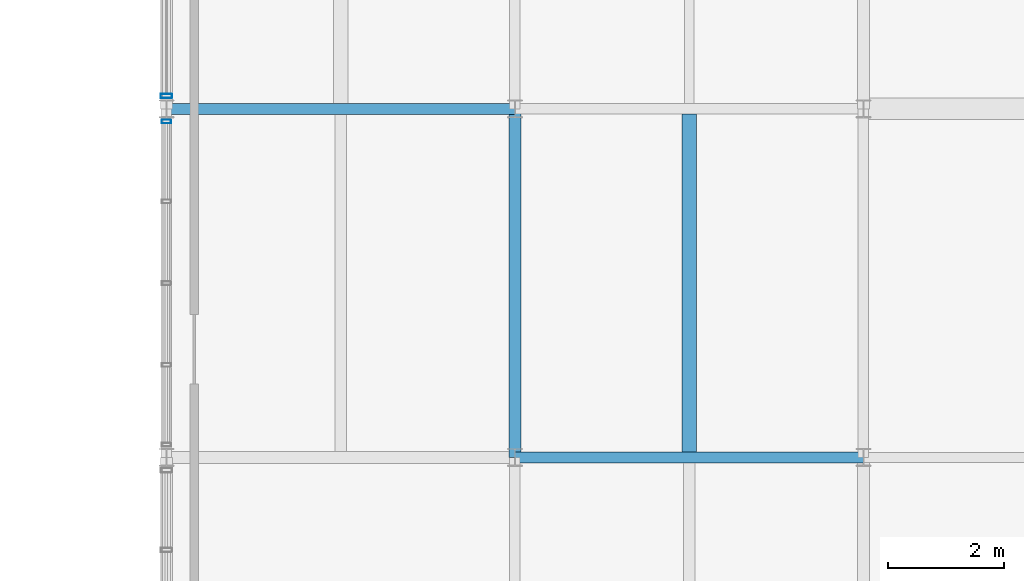
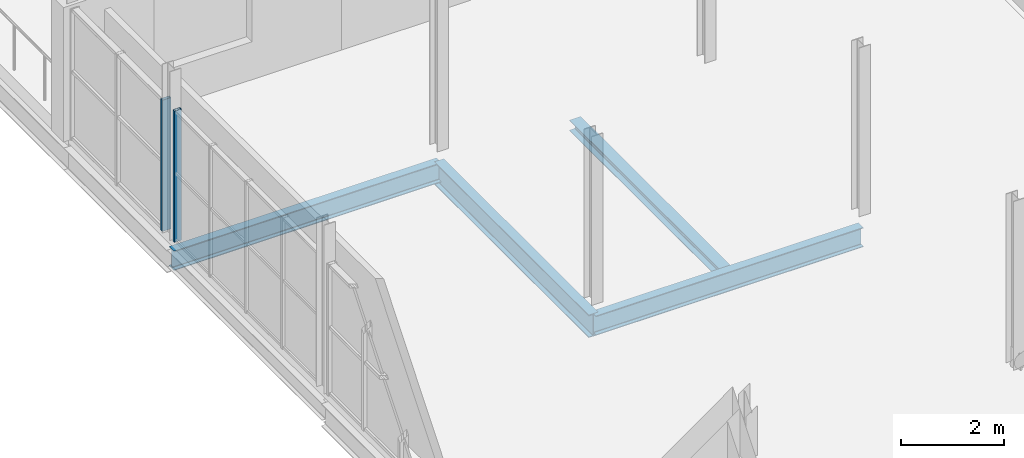
# One storey, part 68 of 96: 4 beams, 2 members, 2 elements without a shape of their own.
"""IFC4 building model written with IfcOpenShell, lengths in metres."""

from ifc_helpers import new_model, si_unit, direction, frame, origin, origin_2d, place, context, subcontext, project, spatial, hollow_rectangle, i_section, extrude, material, material_profile, profile_set, type_object, element, aggregate, save


model = new_model("IFC4")

# Units and contexts
model_context = context("Model", 3, precision=1e-05, world=origin(), true_north=direction((0.0, 1.0)))
body_context = subcontext(model_context, "Body", "Model", "MODEL_VIEW")
ifc_project = project(units=[si_unit("LENGTHUNIT", "METRE"), si_unit("AREAUNIT", "SQUARE_METRE"), si_unit("VOLUMEUNIT", "CUBIC_METRE"), si_unit("PLANEANGLEUNIT", "RADIAN"), si_unit("MASSUNIT", "GRAM", prefix="KILO")], contexts=[model_context])

# Site, building, storey
site_placement = place(None, origin())
site = spatial("IfcSite", under=ifc_project, at=site_placement, CompositionType="ELEMENT")
building_placement = place(site_placement, origin())
building = spatial("IfcBuilding", under=site, at=building_placement, Name="Verrall Gate Interchange", CompositionType="ELEMENT")
storey_placement = place(building_placement, frame((0.0, 0.0, 11.39990234375)))
storey = spatial("IfcBuildingStorey", under=building, at=storey_placement, Name="L03", CompositionType="ELEMENT", Elevation=11.39990234375)

# Beams
ifc_material_1 = material(Name="Structural Steel CSA G40.21 350W", Category="steel")
ifc_material_profile_1 = material_profile(ifc_material_1, i_section(OverallWidth=0.2109375, OverallDepth=0.5390625, WebThickness=0.01171875, FlangeThickness=0.018798828125, FilletRadius=0.013916015625, at=origin_2d()), Name="W530x109")
ifc_profile_set_1 = profile_set([ifc_material_profile_1], Name="Structural Steel CSA G40.21 350W")
beam_type_1 = type_object("IfcBeamType", Name="B-10 Structural Beam W530x109", PredefinedType="BEAM", material=ifc_profile_set_1)
beam_1_placement = place(storey_placement, frame((138.0, 34.0, -0.599365234375), z_axis=(0.0, 1.0, 0.0), x_axis=(-1.0, 0.0, 0.0)))
element("IfcBeam", 1, at=beam_1_placement, inside=storey, type_object=beam_type_1, Name="L03 Girder BM-L03-2335 (B-10)", PredefinedType="BEAM", context=body_context, shape_type="SweptSolid", body=[
    extrude(i_section(OverallWidth=0.2109375, OverallDepth=0.5390625, WebThickness=0.01171875, FlangeThickness=0.018798828125, FilletRadius=0.013916015625, at=origin_2d()), origin(), (0.0, 0.0, 1.0), 6.0),
])
ifc_material_2 = material(Name="Structural Steel CSA G40.21 350W", Category="steel")
ifc_material_profile_2 = material_profile(ifc_material_2, i_section(OverallWidth=0.19189453125, OverallDepth=0.462890625, WebThickness=0.010498046875, FlangeThickness=0.017578125, FilletRadius=0.012939453125, at=origin_2d()), Name="W460x89")
ifc_profile_set_2 = profile_set([ifc_material_profile_2], Name="Structural Steel CSA G40.21 350W")
beam_type_2 = type_object("IfcBeamType", Name="B-11 Structural Beam W460x89", PredefinedType="BEAM", material=ifc_profile_set_2)
for number, where, z_axis, x_axis, name in (
    (2, (138.0, 34.0, -0.5615234375), (1.0, 0.0, 0.0), (0.0, 1.0, 0.0), "L03 Girder BM-L03-2071 (B-11)"),
    (3, (132.0, 40.0, -0.5615234375), (1.0, 0.0, 0.0), (0.0, 1.0, 0.0), "L03 Girder BM-L03-2080 (B-11)"),
):
    element("IfcBeam", number, at=place(storey_placement, frame(where, z_axis=z_axis, x_axis=x_axis)), inside=storey, type_object=beam_type_2, Name=name, PredefinedType="BEAM", context=body_context, shape_type="SweptSolid", body=[
        extrude(i_section(OverallWidth=0.19189453125, OverallDepth=0.462890625, WebThickness=0.010498046875, FlangeThickness=0.017578125, FilletRadius=0.012939453125, at=origin_2d()), origin(), (0.0, 0.0, 1.0), 6.0),
    ])

# Curtain wall, member
ifc_material_3 = material(Name="Thermally Broken Anodized Aluminium Curtain Wall Framing", Category="aluminium")
curtain_wall_type_1 = type_object("IfcCurtainWallType", Name="CW-36 Unitized Curtain Wall 5559x3110", PredefinedType="NOTDEFINED", material=ifc_material_3)
curtain_wall_1_placement = place(storey_placement, origin())
curtain_wall_1 = element("IfcCurtainWall", 4, at=curtain_wall_1_placement, inside=storey, type_object=curtain_wall_type_1, Name="L03 Unitized Curtain Wall CW-L03-122", PredefinedType="NOTDEFINED")
ifc_material_4 = material(Name="Thermally Broken Anodized Aluminium Curtain Wall Framing", Category="aluminium")
ifc_material_profile_3 = material_profile(ifc_material_4, hollow_rectangle(XDim=0.06494140625, YDim=0.159912109375, WallThickness=0.00390625, InnerFilletRadius=0.00390625, OuterFilletRadius=0.008056640625, at=origin_2d()), Name="CWM160x65x4")
ifc_profile_set_3 = profile_set([ifc_material_profile_3], Name="Thermally Broken Anodized Aluminium Curtain Wall Framing")
member_type_1 = type_object("IfcMemberType", Name="CM-01 Curtain Mullion CWM160x65x4", PredefinedType="MULLION", material=ifc_profile_set_3)
member_1_placement = place(storey_placement, frame((132.0, 39.782470703125, 0.0), z_axis=(0.0, 0.0, 1.0), x_axis=(0.0, -1.0, 0.0)))
member_1 = element("IfcMember", 5, at=member_1_placement, type_object=member_type_1, Name="CW-L03-122 Mullion 1", PredefinedType="MULLION", context=body_context, shape_type="SweptSolid", body=[
    extrude(hollow_rectangle(XDim=0.06494140625, YDim=0.159912109375, WallThickness=0.00390625, InnerFilletRadius=0.00390625, OuterFilletRadius=0.008056640625, at=origin_2d()), origin(), (0.0, 0.0, 1.0), 3.110107421875),
])
aggregate(curtain_wall_1, [member_1])

ifc_material_5 = material(Name="Thermally Broken Anodized Aluminium Curtain Wall Framing", Category="aluminium")
curtain_wall_type_2 = type_object("IfcCurtainWallType", Name="CW-17 Unitized Curtain Wall 3631x3100", PredefinedType="NOTDEFINED", material=ifc_material_5)
curtain_wall_2_placement = place(storey_placement, origin())
curtain_wall_2 = element("IfcCurtainWall", 6, at=curtain_wall_2_placement, inside=storey, type_object=curtain_wall_type_2, Name="L03 Unitized Curtain Wall CW-L03-121", PredefinedType="NOTDEFINED")
ifc_material_6 = material(Name="Thermally Broken Anodized Aluminium Curtain Wall Framing", Category="aluminium")
ifc_material_profile_4 = material_profile(ifc_material_6, hollow_rectangle(XDim=0.074951171875, YDim=0.199951171875, WallThickness=0.0048828125, InnerFilletRadius=0.0048828125, OuterFilletRadius=0.010009765625, at=origin_2d()), Name="CWM200x75x5")
ifc_profile_set_4 = profile_set([ifc_material_profile_4], Name="Thermally Broken Anodized Aluminium Curtain Wall Framing")
member_type_2 = type_object("IfcMemberType", Name="CM-02 Curtain Mullion CWM200x75x5", PredefinedType="MULLION", material=ifc_profile_set_4)
member_2_placement = place(storey_placement, frame((132.0, 40.222412109375, 0.0), z_axis=(0.0, 0.0, 1.0), x_axis=(0.0, -1.0, 0.0)))
member_2 = element("IfcMember", 7, at=member_2_placement, type_object=member_type_2, Name="CW-L03-121 Mullion 3", PredefinedType="MULLION", context=body_context, shape_type="SweptSolid", body=[
    extrude(hollow_rectangle(XDim=0.074951171875, YDim=0.199951171875, WallThickness=0.0048828125, InnerFilletRadius=0.0048828125, OuterFilletRadius=0.010009765625, at=origin_2d()), origin(), (0.0, 0.0, 1.0), 3.110107421875),
])
aggregate(curtain_wall_2, [member_2])

# Beam
ifc_material_7 = material(Name="Structural Steel CSA G40.21 350W", Category="steel")
ifc_material_profile_5 = material_profile(ifc_material_7, i_section(OverallWidth=0.25390625, OverallDepth=0.2529296875, WebThickness=0.008544921875, FlangeThickness=0.01416015625, FilletRadius=0.011962890625, at=origin_2d()), Name="W250x73")
ifc_profile_set_5 = profile_set([ifc_material_profile_5], Name="Structural Steel CSA G40.21 350W")
beam_type_3 = type_object("IfcBeamType", Name="J-05 Floor Joist W250x73", PredefinedType="JOIST", material=ifc_profile_set_5)
beam_2_placement = place(storey_placement, frame((141.0, 34.095947265625, -0.456298828125), z_axis=(0.0, 1.0, 0.0), x_axis=(-1.0, 0.0, 0.0)))
element("IfcBeam", 8, at=beam_2_placement, inside=storey, type_object=beam_type_3, Name="L03 Secondary Floor Joist JST-L03-2451", PredefinedType="JOIST", context=body_context, shape_type="SweptSolid", body=[
    extrude(i_section(OverallWidth=0.25390625, OverallDepth=0.2529296875, WebThickness=0.008544921875, FlangeThickness=0.01416015625, FilletRadius=0.011962890625, at=origin_2d()), origin(), (0.0, 0.0, 1.0), 5.814453125),
])

save(model, "model.ifc")
